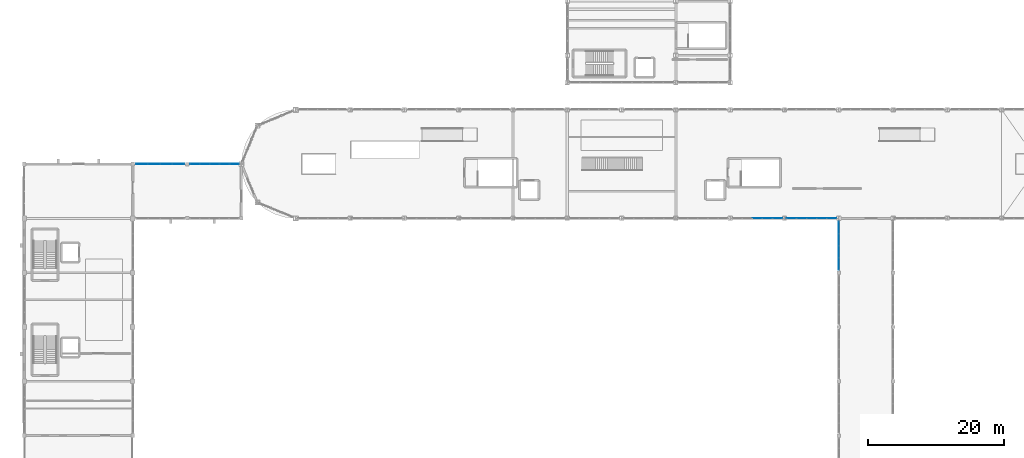
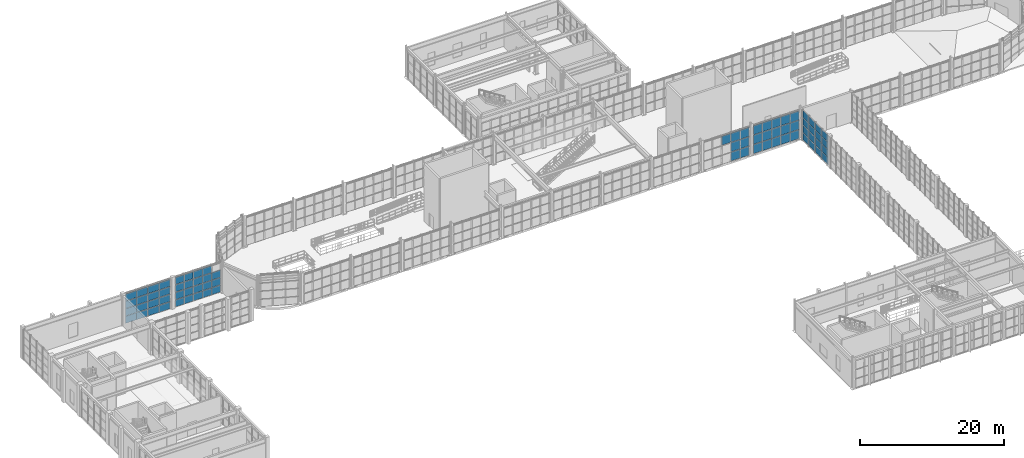
# One storey, part 53 of 82: 73 plates, 5 elements without a shape of their own.
"""IFC4 building model written with IfcOpenShell, lengths in metres."""

from ifc_helpers import new_model, si_unit, direction, frame, origin, origin_2d, place, context, subcontext, project, spatial, rectangle, extrude, material, layer, layer_set, type_object, element, aggregate, save


model = new_model("IFC4")

# Units and contexts
model_context = context("Model", 3, precision=1e-05, world=origin(), true_north=direction((0.0, 1.0)))
body_context = subcontext(model_context, "Body", "Model", "MODEL_VIEW")
ifc_project = project(units=[si_unit("LENGTHUNIT", "METRE"), si_unit("AREAUNIT", "SQUARE_METRE"), si_unit("VOLUMEUNIT", "CUBIC_METRE"), si_unit("PLANEANGLEUNIT", "RADIAN"), si_unit("MASSUNIT", "GRAM", prefix="KILO")], contexts=[model_context])

# Site, building, storey
site_placement = place(None, origin())
site = spatial("IfcSite", under=ifc_project, at=site_placement, CompositionType="ELEMENT")
building_placement = place(site_placement, origin())
building = spatial("IfcBuilding", under=site, at=building_placement, Name="Serraluz Foothill Cableway Terminal", CompositionType="ELEMENT")
storey_placement = place(building_placement, frame((0.0, 0.0, 9.60009765625)))
storey = spatial("IfcBuildingStorey", under=building, at=storey_placement, Name="L02", CompositionType="ELEMENT", Elevation=9.60009765625)

# Curtain wall, plates
ifc_material_1 = material(Name="Architectural bronze alloy C28000", Category="aluminium")
curtain_wall_type_1 = type_object("IfcCurtainWallType", Name="TYP-CW-480X380", PredefinedType="NOTDEFINED", material=ifc_material_1)
curtain_wall_1_placement = place(storey_placement, origin())
curtain_wall_1 = element("IfcCurtainWall", 1, at=curtain_wall_1_placement, inside=storey, type_object=curtain_wall_type_1, Name="Ribbed Glazed Curtain Wall CW-V1S-L02-104", PredefinedType="NOTDEFINED")
ifc_material_2 = material(Name="Translucent ribbed laminated channel glass", Category="glass")
ifc_layer = layer(ifc_material_2, 0.028076171875, Name="Translucent ribbed laminated channel glass", Category="glass")
ifc_layer_set = layer_set([ifc_layer], Name="Translucent ribbed laminated channel glass")
plate_type = type_object("IfcPlateType", Name="TYP-CW-PNL-28", PredefinedType="CURTAIN_PANEL", material=ifc_layer_set)
plate_1_placement = place(storey_placement, frame((110.9619140625, 56.0, 0.06005859375), z_axis=(0.0, 0.0, 1.0), x_axis=(-1.0, 0.0, 0.0)))
plate_1 = element("IfcPlate", 2, at=plate_1_placement, type_object=plate_type, Name="CW-14 panel 1.1", PredefinedType="CURTAIN_PANEL", context=body_context, shape_type="SweptSolid", body=[
    extrude(rectangle(XDim=1.393310546875, YDim=0.028076171875, at=origin_2d()), origin(), (0.0, 0.0, 1.0), 1.526611328125),
])
plate_2_placement = place(storey_placement, frame((110.9619140625, 56.0, 1.646484375), z_axis=(0.0, 0.0, 1.0), x_axis=(-1.0, 0.0, 0.0)))
plate_2 = element("IfcPlate", 3, at=plate_2_placement, type_object=plate_type, Name="CW-14 panel 1.2", PredefinedType="CURTAIN_PANEL", context=body_context, shape_type="SweptSolid", body=[
    extrude(rectangle(XDim=1.393310546875, YDim=0.028076171875, at=origin_2d()), origin(), (0.0, 0.0, 1.0), 1.556640625),
])
plate_3_placement = place(storey_placement, frame((110.9619140625, 56.0, 3.26318359375), z_axis=(0.0, 0.0, 1.0), x_axis=(-1.0, 0.0, 0.0)))
plate_3 = element("IfcPlate", 4, at=plate_3_placement, type_object=plate_type, Name="CW-14 panel 1.3", PredefinedType="CURTAIN_PANEL", context=body_context, shape_type="SweptSolid", body=[
    extrude(rectangle(XDim=1.393310546875, YDim=0.028076171875, at=origin_2d()), origin(), (0.0, 0.0, 1.0), 1.526611328125),
])
plate_4_placement = place(storey_placement, frame((109.49365234375, 56.0, 0.06005859375), z_axis=(0.0, 0.0, 1.0), x_axis=(-1.0, 0.0, 0.0)))
plate_4 = element("IfcPlate", 5, at=plate_4_placement, type_object=plate_type, Name="CW-14 panel 2.1", PredefinedType="CURTAIN_PANEL", context=body_context, shape_type="SweptSolid", body=[
    extrude(rectangle(XDim=1.423095703125, YDim=0.028076171875, at=origin_2d()), origin(), (0.0, 0.0, 1.0), 1.526611328125),
])
plate_5_placement = place(storey_placement, frame((109.49365234375, 56.0, 1.646484375), z_axis=(0.0, 0.0, 1.0), x_axis=(-1.0, 0.0, 0.0)))
plate_5 = element("IfcPlate", 6, at=plate_5_placement, type_object=plate_type, Name="CW-14 panel 2.2", PredefinedType="CURTAIN_PANEL", context=body_context, shape_type="SweptSolid", body=[
    extrude(rectangle(XDim=1.423095703125, YDim=0.028076171875, at=origin_2d()), origin(), (0.0, 0.0, 1.0), 1.556640625),
])
plate_6_placement = place(storey_placement, frame((109.49365234375, 56.0, 3.26318359375), z_axis=(0.0, 0.0, 1.0), x_axis=(-1.0, 0.0, 0.0)))
plate_6 = element("IfcPlate", 7, at=plate_6_placement, type_object=plate_type, Name="CW-14 panel 2.3", PredefinedType="CURTAIN_PANEL", context=body_context, shape_type="SweptSolid", body=[
    extrude(rectangle(XDim=1.423095703125, YDim=0.028076171875, at=origin_2d()), origin(), (0.0, 0.0, 1.0), 1.526611328125),
])
plate_7_placement = place(storey_placement, frame((108.010498046875, 56.0, 3.26318359375), z_axis=(0.0, 0.0, 1.0), x_axis=(-1.0, 0.0, 0.0)))
plate_7 = element("IfcPlate", 8, at=plate_7_placement, type_object=plate_type, Name="CW-14 panel 3.3", PredefinedType="CURTAIN_PANEL", context=body_context, shape_type="SweptSolid", body=[
    extrude(rectangle(XDim=1.423095703125, YDim=0.028076171875, at=origin_2d()), origin(), (0.0, 0.0, 1.0), 1.526611328125),
])
aggregate(curtain_wall_1, [plate_1, plate_2, plate_3, plate_4, plate_5, plate_6, plate_7])

curtain_wall_type_2 = type_object("IfcCurtainWallType", Name="TYP-CW-480X420", PredefinedType="NOTDEFINED", material=ifc_material_1)
curtain_wall_2_placement = place(storey_placement, origin())
curtain_wall_2 = element("IfcCurtainWall", 9, at=curtain_wall_2_placement, inside=storey, type_object=curtain_wall_type_2, Name="Ribbed Glazed Curtain Wall CW-V1S-L02-112", PredefinedType="NOTDEFINED")
plate_8_placement = place(storey_placement, frame((118.94091796875, 56.0, 0.06005859375), z_axis=(0.0, 0.0, 1.0), x_axis=(-1.0, 0.0, 0.0)))
plate_8 = element("IfcPlate", 10, at=plate_8_placement, type_object=plate_type, Name="CW-15 panel 1.1", PredefinedType="CURTAIN_PANEL", context=body_context, shape_type="SweptSolid", body=[
    extrude(rectangle(XDim=1.393310546875, YDim=0.028076171875, at=origin_2d()), origin(), (0.0, 0.0, 1.0), 1.526611328125),
])
plate_9_placement = place(storey_placement, frame((118.94091796875, 56.0, 1.646484375), z_axis=(0.0, 0.0, 1.0), x_axis=(-1.0, 0.0, 0.0)))
plate_9 = element("IfcPlate", 11, at=plate_9_placement, type_object=plate_type, Name="CW-15 panel 1.2", PredefinedType="CURTAIN_PANEL", context=body_context, shape_type="SweptSolid", body=[
    extrude(rectangle(XDim=1.393310546875, YDim=0.028076171875, at=origin_2d()), origin(), (0.0, 0.0, 1.0), 1.556640625),
])
plate_10_placement = place(storey_placement, frame((118.94091796875, 56.0, 3.26318359375), z_axis=(0.0, 0.0, 1.0), x_axis=(-1.0, 0.0, 0.0)))
plate_10 = element("IfcPlate", 12, at=plate_10_placement, type_object=plate_type, Name="CW-15 panel 1.3", PredefinedType="CURTAIN_PANEL", context=body_context, shape_type="SweptSolid", body=[
    extrude(rectangle(XDim=1.393310546875, YDim=0.028076171875, at=origin_2d()), origin(), (0.0, 0.0, 1.0), 1.526611328125),
])
plate_11_placement = place(storey_placement, frame((117.47265625, 56.0, 0.06005859375), z_axis=(0.0, 0.0, 1.0), x_axis=(-1.0, 0.0, 0.0)))
plate_11 = element("IfcPlate", 13, at=plate_11_placement, type_object=plate_type, Name="CW-15 panel 2.1", PredefinedType="CURTAIN_PANEL", context=body_context, shape_type="SweptSolid", body=[
    extrude(rectangle(XDim=1.423095703125, YDim=0.028076171875, at=origin_2d()), origin(), (0.0, 0.0, 1.0), 1.526611328125),
])
plate_12_placement = place(storey_placement, frame((117.47265625, 56.0, 1.646484375), z_axis=(0.0, 0.0, 1.0), x_axis=(-1.0, 0.0, 0.0)))
plate_12 = element("IfcPlate", 14, at=plate_12_placement, type_object=plate_type, Name="CW-15 panel 2.2", PredefinedType="CURTAIN_PANEL", context=body_context, shape_type="SweptSolid", body=[
    extrude(rectangle(XDim=1.423095703125, YDim=0.028076171875, at=origin_2d()), origin(), (0.0, 0.0, 1.0), 1.556640625),
])
plate_13_placement = place(storey_placement, frame((117.47265625, 56.0, 3.26318359375), z_axis=(0.0, 0.0, 1.0), x_axis=(-1.0, 0.0, 0.0)))
plate_13 = element("IfcPlate", 15, at=plate_13_placement, type_object=plate_type, Name="CW-15 panel 2.3", PredefinedType="CURTAIN_PANEL", context=body_context, shape_type="SweptSolid", body=[
    extrude(rectangle(XDim=1.423095703125, YDim=0.028076171875, at=origin_2d()), origin(), (0.0, 0.0, 1.0), 1.526611328125),
])
plate_14_placement = place(storey_placement, frame((115.989501953125, 56.0, 0.06005859375), z_axis=(0.0, 0.0, 1.0), x_axis=(-1.0, 0.0, 0.0)))
plate_14 = element("IfcPlate", 16, at=plate_14_placement, type_object=plate_type, Name="CW-15 panel 3.1", PredefinedType="CURTAIN_PANEL", context=body_context, shape_type="SweptSolid", body=[
    extrude(rectangle(XDim=1.423095703125, YDim=0.028076171875, at=origin_2d()), origin(), (0.0, 0.0, 1.0), 1.526611328125),
])
plate_15_placement = place(storey_placement, frame((115.989501953125, 56.0, 1.646484375), z_axis=(0.0, 0.0, 1.0), x_axis=(-1.0, 0.0, 0.0)))
plate_15 = element("IfcPlate", 17, at=plate_15_placement, type_object=plate_type, Name="CW-15 panel 3.2", PredefinedType="CURTAIN_PANEL", context=body_context, shape_type="SweptSolid", body=[
    extrude(rectangle(XDim=1.423095703125, YDim=0.028076171875, at=origin_2d()), origin(), (0.0, 0.0, 1.0), 1.556640625),
])
plate_16_placement = place(storey_placement, frame((115.989501953125, 56.0, 3.26318359375), z_axis=(0.0, 0.0, 1.0), x_axis=(-1.0, 0.0, 0.0)))
plate_16 = element("IfcPlate", 18, at=plate_16_placement, type_object=plate_type, Name="CW-15 panel 3.3", PredefinedType="CURTAIN_PANEL", context=body_context, shape_type="SweptSolid", body=[
    extrude(rectangle(XDim=1.423095703125, YDim=0.028076171875, at=origin_2d()), origin(), (0.0, 0.0, 1.0), 1.526611328125),
])
plate_17_placement = place(storey_placement, frame((114.50634765625, 56.0, 0.06005859375), z_axis=(0.0, 0.0, 1.0), x_axis=(-1.0, 0.0, 0.0)))
plate_17 = element("IfcPlate", 19, at=plate_17_placement, type_object=plate_type, Name="CW-15 panel 4.1", PredefinedType="CURTAIN_PANEL", context=body_context, shape_type="SweptSolid", body=[
    extrude(rectangle(XDim=1.423095703125, YDim=0.028076171875, at=origin_2d()), origin(), (0.0, 0.0, 1.0), 1.526611328125),
])
plate_18_placement = place(storey_placement, frame((114.50634765625, 56.0, 1.646484375), z_axis=(0.0, 0.0, 1.0), x_axis=(-1.0, 0.0, 0.0)))
plate_18 = element("IfcPlate", 20, at=plate_18_placement, type_object=plate_type, Name="CW-15 panel 4.2", PredefinedType="CURTAIN_PANEL", context=body_context, shape_type="SweptSolid", body=[
    extrude(rectangle(XDim=1.423095703125, YDim=0.028076171875, at=origin_2d()), origin(), (0.0, 0.0, 1.0), 1.556640625),
])
plate_19_placement = place(storey_placement, frame((114.50634765625, 56.0, 3.26318359375), z_axis=(0.0, 0.0, 1.0), x_axis=(-1.0, 0.0, 0.0)))
plate_19 = element("IfcPlate", 21, at=plate_19_placement, type_object=plate_type, Name="CW-15 panel 4.3", PredefinedType="CURTAIN_PANEL", context=body_context, shape_type="SweptSolid", body=[
    extrude(rectangle(XDim=1.423095703125, YDim=0.028076171875, at=origin_2d()), origin(), (0.0, 0.0, 1.0), 1.526611328125),
])
plate_20_placement = place(storey_placement, frame((113.0380859375, 56.0, 0.06005859375), z_axis=(0.0, 0.0, 1.0), x_axis=(-1.0, 0.0, 0.0)))
plate_20 = element("IfcPlate", 22, at=plate_20_placement, type_object=plate_type, Name="CW-15 panel 5.1", PredefinedType="CURTAIN_PANEL", context=body_context, shape_type="SweptSolid", body=[
    extrude(rectangle(XDim=1.393310546875, YDim=0.028076171875, at=origin_2d()), origin(), (0.0, 0.0, 1.0), 1.526611328125),
])
plate_21_placement = place(storey_placement, frame((113.0380859375, 56.0, 1.646484375), z_axis=(0.0, 0.0, 1.0), x_axis=(-1.0, 0.0, 0.0)))
plate_21 = element("IfcPlate", 23, at=plate_21_placement, type_object=plate_type, Name="CW-15 panel 5.2", PredefinedType="CURTAIN_PANEL", context=body_context, shape_type="SweptSolid", body=[
    extrude(rectangle(XDim=1.393310546875, YDim=0.028076171875, at=origin_2d()), origin(), (0.0, 0.0, 1.0), 1.556640625),
])
plate_22_placement = place(storey_placement, frame((113.0380859375, 56.0, 3.26318359375), z_axis=(0.0, 0.0, 1.0), x_axis=(-1.0, 0.0, 0.0)))
plate_22 = element("IfcPlate", 24, at=plate_22_placement, type_object=plate_type, Name="CW-15 panel 5.3", PredefinedType="CURTAIN_PANEL", context=body_context, shape_type="SweptSolid", body=[
    extrude(rectangle(XDim=1.393310546875, YDim=0.028076171875, at=origin_2d()), origin(), (0.0, 0.0, 1.0), 1.526611328125),
])
aggregate(curtain_wall_2, [plate_8, plate_9, plate_10, plate_11, plate_12, plate_13, plate_14, plate_15, plate_16, plate_17, plate_18, plate_19, plate_20, plate_21, plate_22])

curtain_wall_type_3 = type_object("IfcCurtainWallType", Name="TYP-CW-710X420", PredefinedType="NOTDEFINED", material=ifc_material_1)
curtain_wall_3_placement = place(storey_placement, origin())
curtain_wall_3 = element("IfcCurtainWall", 25, at=curtain_wall_3_placement, inside=storey, type_object=curtain_wall_type_3, Name="Ribbed Glazed Curtain Wall CW-CLW-L02-48", PredefinedType="NOTDEFINED")
plate_23_placement = place(storey_placement, frame((120.0, 49.30029296875, 0.059814453125), z_axis=(0.0, 0.0, 1.0), x_axis=(0.0, 1.0, 0.0)))
plate_23 = element("IfcPlate", 26, at=plate_23_placement, type_object=plate_type, Name="CW-01 panel 1.1", PredefinedType="CURTAIN_PANEL", context=body_context, shape_type="SweptSolid", body=[
    extrude(rectangle(XDim=1.700439453125, YDim=0.028076171875, at=origin_2d()), origin(), (0.0, 0.0, 1.0), 1.18505859375),
])
plate_24_placement = place(storey_placement, frame((120.0, 49.30029296875, 1.3046875), z_axis=(0.0, 0.0, 1.0), x_axis=(0.0, 1.0, 0.0)))
plate_24 = element("IfcPlate", 27, at=plate_24_placement, type_object=plate_type, Name="CW-01 panel 1.2", PredefinedType="CURTAIN_PANEL", context=body_context, shape_type="SweptSolid", body=[
    extrude(rectangle(XDim=1.700439453125, YDim=0.028076171875, at=origin_2d()), origin(), (0.0, 0.0, 1.0), 1.215087890625),
])
plate_25_placement = place(storey_placement, frame((120.0, 49.30029296875, 2.580078125), z_axis=(0.0, 0.0, 1.0), x_axis=(0.0, 1.0, 0.0)))
plate_25 = element("IfcPlate", 28, at=plate_25_placement, type_object=plate_type, Name="CW-01 panel 1.3", PredefinedType="CURTAIN_PANEL", context=body_context, shape_type="SweptSolid", body=[
    extrude(rectangle(XDim=1.700439453125, YDim=0.028076171875, at=origin_2d()), origin(), (0.0, 0.0, 1.0), 1.215087890625),
])
plate_26_placement = place(storey_placement, frame((120.0, 49.30029296875, 3.85498046875), z_axis=(0.0, 0.0, 1.0), x_axis=(0.0, 1.0, 0.0)))
plate_26 = element("IfcPlate", 29, at=plate_26_placement, type_object=plate_type, Name="CW-01 panel 1.4", PredefinedType="CURTAIN_PANEL", context=body_context, shape_type="SweptSolid", body=[
    extrude(rectangle(XDim=1.700439453125, YDim=0.028076171875, at=origin_2d()), origin(), (0.0, 0.0, 1.0), 1.18505859375),
])
plate_27_placement = place(storey_placement, frame((120.0, 51.07568359375, 0.059814453125), z_axis=(0.0, 0.0, 1.0), x_axis=(0.0, 1.0, 0.0)))
plate_27 = element("IfcPlate", 30, at=plate_27_placement, type_object=plate_type, Name="CW-01 panel 2.1", PredefinedType="CURTAIN_PANEL", context=body_context, shape_type="SweptSolid", body=[
    extrude(rectangle(XDim=1.73046875, YDim=0.028076171875, at=origin_2d()), origin(), (0.0, 0.0, 1.0), 1.18505859375),
])
plate_28_placement = place(storey_placement, frame((120.0, 51.07568359375, 1.3046875), z_axis=(0.0, 0.0, 1.0), x_axis=(0.0, 1.0, 0.0)))
plate_28 = element("IfcPlate", 31, at=plate_28_placement, type_object=plate_type, Name="CW-01 panel 2.2", PredefinedType="CURTAIN_PANEL", context=body_context, shape_type="SweptSolid", body=[
    extrude(rectangle(XDim=1.73046875, YDim=0.028076171875, at=origin_2d()), origin(), (0.0, 0.0, 1.0), 1.215087890625),
])
plate_29_placement = place(storey_placement, frame((120.0, 51.07568359375, 2.580078125), z_axis=(0.0, 0.0, 1.0), x_axis=(0.0, 1.0, 0.0)))
plate_29 = element("IfcPlate", 32, at=plate_29_placement, type_object=plate_type, Name="CW-01 panel 2.3", PredefinedType="CURTAIN_PANEL", context=body_context, shape_type="SweptSolid", body=[
    extrude(rectangle(XDim=1.73046875, YDim=0.028076171875, at=origin_2d()), origin(), (0.0, 0.0, 1.0), 1.215087890625),
])
plate_30_placement = place(storey_placement, frame((120.0, 51.07568359375, 3.85498046875), z_axis=(0.0, 0.0, 1.0), x_axis=(0.0, 1.0, 0.0)))
plate_30 = element("IfcPlate", 33, at=plate_30_placement, type_object=plate_type, Name="CW-01 panel 2.4", PredefinedType="CURTAIN_PANEL", context=body_context, shape_type="SweptSolid", body=[
    extrude(rectangle(XDim=1.73046875, YDim=0.028076171875, at=origin_2d()), origin(), (0.0, 0.0, 1.0), 1.18505859375),
])
plate_31_placement = place(storey_placement, frame((120.0, 52.8662109375, 0.059814453125), z_axis=(0.0, 0.0, 1.0), x_axis=(0.0, 1.0, 0.0)))
plate_31 = element("IfcPlate", 34, at=plate_31_placement, type_object=plate_type, Name="CW-01 panel 3.1", PredefinedType="CURTAIN_PANEL", context=body_context, shape_type="SweptSolid", body=[
    extrude(rectangle(XDim=1.73046875, YDim=0.028076171875, at=origin_2d()), origin(), (0.0, 0.0, 1.0), 1.18505859375),
])
plate_32_placement = place(storey_placement, frame((120.0, 52.8662109375, 1.3046875), z_axis=(0.0, 0.0, 1.0), x_axis=(0.0, 1.0, 0.0)))
plate_32 = element("IfcPlate", 35, at=plate_32_placement, type_object=plate_type, Name="CW-01 panel 3.2", PredefinedType="CURTAIN_PANEL", context=body_context, shape_type="SweptSolid", body=[
    extrude(rectangle(XDim=1.73046875, YDim=0.028076171875, at=origin_2d()), origin(), (0.0, 0.0, 1.0), 1.215087890625),
])
plate_33_placement = place(storey_placement, frame((120.0, 52.8662109375, 2.580078125), z_axis=(0.0, 0.0, 1.0), x_axis=(0.0, 1.0, 0.0)))
plate_33 = element("IfcPlate", 36, at=plate_33_placement, type_object=plate_type, Name="CW-01 panel 3.3", PredefinedType="CURTAIN_PANEL", context=body_context, shape_type="SweptSolid", body=[
    extrude(rectangle(XDim=1.73046875, YDim=0.028076171875, at=origin_2d()), origin(), (0.0, 0.0, 1.0), 1.215087890625),
])
plate_34_placement = place(storey_placement, frame((120.0, 52.8662109375, 3.85498046875), z_axis=(0.0, 0.0, 1.0), x_axis=(0.0, 1.0, 0.0)))
plate_34 = element("IfcPlate", 37, at=plate_34_placement, type_object=plate_type, Name="CW-01 panel 3.4", PredefinedType="CURTAIN_PANEL", context=body_context, shape_type="SweptSolid", body=[
    extrude(rectangle(XDim=1.73046875, YDim=0.028076171875, at=origin_2d()), origin(), (0.0, 0.0, 1.0), 1.18505859375),
])
plate_35_placement = place(storey_placement, frame((120.0, 54.641845703125, 0.059814453125), z_axis=(0.0, 0.0, 1.0), x_axis=(0.0, 1.0, 0.0)))
plate_35 = element("IfcPlate", 38, at=plate_35_placement, type_object=plate_type, Name="CW-01 panel 4.1", PredefinedType="CURTAIN_PANEL", context=body_context, shape_type="SweptSolid", body=[
    extrude(rectangle(XDim=1.700439453125, YDim=0.028076171875, at=origin_2d()), origin(), (0.0, 0.0, 1.0), 1.18505859375),
])
plate_36_placement = place(storey_placement, frame((120.0, 54.641845703125, 1.3046875), z_axis=(0.0, 0.0, 1.0), x_axis=(0.0, 1.0, 0.0)))
plate_36 = element("IfcPlate", 39, at=plate_36_placement, type_object=plate_type, Name="CW-01 panel 4.2", PredefinedType="CURTAIN_PANEL", context=body_context, shape_type="SweptSolid", body=[
    extrude(rectangle(XDim=1.700439453125, YDim=0.028076171875, at=origin_2d()), origin(), (0.0, 0.0, 1.0), 1.215087890625),
])
plate_37_placement = place(storey_placement, frame((120.0, 54.641845703125, 2.580078125), z_axis=(0.0, 0.0, 1.0), x_axis=(0.0, 1.0, 0.0)))
plate_37 = element("IfcPlate", 40, at=plate_37_placement, type_object=plate_type, Name="CW-01 panel 4.3", PredefinedType="CURTAIN_PANEL", context=body_context, shape_type="SweptSolid", body=[
    extrude(rectangle(XDim=1.700439453125, YDim=0.028076171875, at=origin_2d()), origin(), (0.0, 0.0, 1.0), 1.215087890625),
])
plate_38_placement = place(storey_placement, frame((120.0, 54.641845703125, 3.85498046875), z_axis=(0.0, 0.0, 1.0), x_axis=(0.0, 1.0, 0.0)))
plate_38 = element("IfcPlate", 41, at=plate_38_placement, type_object=plate_type, Name="CW-01 panel 4.4", PredefinedType="CURTAIN_PANEL", context=body_context, shape_type="SweptSolid", body=[
    extrude(rectangle(XDim=1.700439453125, YDim=0.028076171875, at=origin_2d()), origin(), (0.0, 0.0, 1.0), 1.18505859375),
])
aggregate(curtain_wall_3, [plate_23, plate_24, plate_25, plate_26, plate_27, plate_28, plate_29, plate_30, plate_31, plate_32, plate_33, plate_34, plate_35, plate_36, plate_37, plate_38])

curtain_wall_4_placement = place(storey_placement, origin())
curtain_wall_4 = element("IfcCurtainWall", 42, at=curtain_wall_4_placement, inside=storey, type_object=curtain_wall_type_3, Name="Ribbed Glazed Curtain Wall CW-WLN-L02-16", PredefinedType="NOTDEFINED")
plate_39_placement = place(storey_placement, frame((17.329345703125, 64.0, 0.059814453125), z_axis=(0.0, 0.0, 1.0), x_axis=(1.0, 0.0, 0.0)))
plate_39 = element("IfcPlate", 43, at=plate_39_placement, type_object=plate_type, Name="CW-01 panel 1.1", PredefinedType="CURTAIN_PANEL", context=body_context, shape_type="SweptSolid", body=[
    extrude(rectangle(XDim=1.708740234375, YDim=0.028076171875, at=origin_2d()), origin(), (0.0, 0.0, 1.0), 1.18505859375),
])
plate_40_placement = place(storey_placement, frame((17.329345703125, 64.0, 1.3046875), z_axis=(0.0, 0.0, 1.0), x_axis=(1.0, 0.0, 0.0)))
plate_40 = element("IfcPlate", 44, at=plate_40_placement, type_object=plate_type, Name="CW-01 panel 1.2", PredefinedType="CURTAIN_PANEL", context=body_context, shape_type="SweptSolid", body=[
    extrude(rectangle(XDim=1.708740234375, YDim=0.028076171875, at=origin_2d()), origin(), (0.0, 0.0, 1.0), 1.215087890625),
])
plate_41_placement = place(storey_placement, frame((17.329345703125, 64.0, 2.580078125), z_axis=(0.0, 0.0, 1.0), x_axis=(1.0, 0.0, 0.0)))
plate_41 = element("IfcPlate", 45, at=plate_41_placement, type_object=plate_type, Name="CW-01 panel 1.3", PredefinedType="CURTAIN_PANEL", context=body_context, shape_type="SweptSolid", body=[
    extrude(rectangle(XDim=1.708740234375, YDim=0.028076171875, at=origin_2d()), origin(), (0.0, 0.0, 1.0), 1.215087890625),
])
plate_42_placement = place(storey_placement, frame((17.329345703125, 64.0, 3.85498046875), z_axis=(0.0, 0.0, 1.0), x_axis=(1.0, 0.0, 0.0)))
plate_42 = element("IfcPlate", 46, at=plate_42_placement, type_object=plate_type, Name="CW-01 panel 1.4", PredefinedType="CURTAIN_PANEL", context=body_context, shape_type="SweptSolid", body=[
    extrude(rectangle(XDim=1.708740234375, YDim=0.028076171875, at=origin_2d()), origin(), (0.0, 0.0, 1.0), 1.18505859375),
])
plate_43_placement = place(storey_placement, frame((19.113037109375, 64.0, 0.059814453125), z_axis=(0.0, 0.0, 1.0), x_axis=(1.0, 0.0, 0.0)))
plate_43 = element("IfcPlate", 47, at=plate_43_placement, type_object=plate_type, Name="CW-01 panel 2.1", PredefinedType="CURTAIN_PANEL", context=body_context, shape_type="SweptSolid", body=[
    extrude(rectangle(XDim=1.73876953125, YDim=0.028076171875, at=origin_2d()), origin(), (0.0, 0.0, 1.0), 1.18505859375),
])
plate_44_placement = place(storey_placement, frame((19.113037109375, 64.0, 1.3046875), z_axis=(0.0, 0.0, 1.0), x_axis=(1.0, 0.0, 0.0)))
plate_44 = element("IfcPlate", 48, at=plate_44_placement, type_object=plate_type, Name="CW-01 panel 2.2", PredefinedType="CURTAIN_PANEL", context=body_context, shape_type="SweptSolid", body=[
    extrude(rectangle(XDim=1.73876953125, YDim=0.028076171875, at=origin_2d()), origin(), (0.0, 0.0, 1.0), 1.215087890625),
])
plate_45_placement = place(storey_placement, frame((19.113037109375, 64.0, 2.580078125), z_axis=(0.0, 0.0, 1.0), x_axis=(1.0, 0.0, 0.0)))
plate_45 = element("IfcPlate", 49, at=plate_45_placement, type_object=plate_type, Name="CW-01 panel 2.3", PredefinedType="CURTAIN_PANEL", context=body_context, shape_type="SweptSolid", body=[
    extrude(rectangle(XDim=1.73876953125, YDim=0.028076171875, at=origin_2d()), origin(), (0.0, 0.0, 1.0), 1.215087890625),
])
plate_46_placement = place(storey_placement, frame((19.113037109375, 64.0, 3.85498046875), z_axis=(0.0, 0.0, 1.0), x_axis=(1.0, 0.0, 0.0)))
plate_46 = element("IfcPlate", 50, at=plate_46_placement, type_object=plate_type, Name="CW-01 panel 2.4", PredefinedType="CURTAIN_PANEL", context=body_context, shape_type="SweptSolid", body=[
    extrude(rectangle(XDim=1.73876953125, YDim=0.028076171875, at=origin_2d()), origin(), (0.0, 0.0, 1.0), 1.18505859375),
])
plate_47_placement = place(storey_placement, frame((20.911865234375, 64.0, 0.059814453125), z_axis=(0.0, 0.0, 1.0), x_axis=(1.0, 0.0, 0.0)))
plate_47 = element("IfcPlate", 51, at=plate_47_placement, type_object=plate_type, Name="CW-01 panel 3.1", PredefinedType="CURTAIN_PANEL", context=body_context, shape_type="SweptSolid", body=[
    extrude(rectangle(XDim=1.73876953125, YDim=0.028076171875, at=origin_2d()), origin(), (0.0, 0.0, 1.0), 1.18505859375),
])
plate_48_placement = place(storey_placement, frame((20.911865234375, 64.0, 1.3046875), z_axis=(0.0, 0.0, 1.0), x_axis=(1.0, 0.0, 0.0)))
plate_48 = element("IfcPlate", 52, at=plate_48_placement, type_object=plate_type, Name="CW-01 panel 3.2", PredefinedType="CURTAIN_PANEL", context=body_context, shape_type="SweptSolid", body=[
    extrude(rectangle(XDim=1.73876953125, YDim=0.028076171875, at=origin_2d()), origin(), (0.0, 0.0, 1.0), 1.215087890625),
])
plate_49_placement = place(storey_placement, frame((20.911865234375, 64.0, 2.580078125), z_axis=(0.0, 0.0, 1.0), x_axis=(1.0, 0.0, 0.0)))
plate_49 = element("IfcPlate", 53, at=plate_49_placement, type_object=plate_type, Name="CW-01 panel 3.3", PredefinedType="CURTAIN_PANEL", context=body_context, shape_type="SweptSolid", body=[
    extrude(rectangle(XDim=1.73876953125, YDim=0.028076171875, at=origin_2d()), origin(), (0.0, 0.0, 1.0), 1.215087890625),
])
plate_50_placement = place(storey_placement, frame((20.911865234375, 64.0, 3.85498046875), z_axis=(0.0, 0.0, 1.0), x_axis=(1.0, 0.0, 0.0)))
plate_50 = element("IfcPlate", 54, at=plate_50_placement, type_object=plate_type, Name="CW-01 panel 3.4", PredefinedType="CURTAIN_PANEL", context=body_context, shape_type="SweptSolid", body=[
    extrude(rectangle(XDim=1.73876953125, YDim=0.028076171875, at=origin_2d()), origin(), (0.0, 0.0, 1.0), 1.18505859375),
])
plate_51_placement = place(storey_placement, frame((22.695556640625, 64.0, 0.059814453125), z_axis=(0.0, 0.0, 1.0), x_axis=(1.0, 0.0, 0.0)))
plate_51 = element("IfcPlate", 55, at=plate_51_placement, type_object=plate_type, Name="CW-01 panel 4.1", PredefinedType="CURTAIN_PANEL", context=body_context, shape_type="SweptSolid", body=[
    extrude(rectangle(XDim=1.708740234375, YDim=0.028076171875, at=origin_2d()), origin(), (0.0, 0.0, 1.0), 1.18505859375),
])
plate_52_placement = place(storey_placement, frame((22.695556640625, 64.0, 1.3046875), z_axis=(0.0, 0.0, 1.0), x_axis=(1.0, 0.0, 0.0)))
plate_52 = element("IfcPlate", 56, at=plate_52_placement, type_object=plate_type, Name="CW-01 panel 4.2", PredefinedType="CURTAIN_PANEL", context=body_context, shape_type="SweptSolid", body=[
    extrude(rectangle(XDim=1.708740234375, YDim=0.028076171875, at=origin_2d()), origin(), (0.0, 0.0, 1.0), 1.215087890625),
])
plate_53_placement = place(storey_placement, frame((22.695556640625, 64.0, 2.580078125), z_axis=(0.0, 0.0, 1.0), x_axis=(1.0, 0.0, 0.0)))
plate_53 = element("IfcPlate", 57, at=plate_53_placement, type_object=plate_type, Name="CW-01 panel 4.3", PredefinedType="CURTAIN_PANEL", context=body_context, shape_type="SweptSolid", body=[
    extrude(rectangle(XDim=1.708740234375, YDim=0.028076171875, at=origin_2d()), origin(), (0.0, 0.0, 1.0), 1.215087890625),
])
plate_54_placement = place(storey_placement, frame((22.695556640625, 64.0, 3.85498046875), z_axis=(0.0, 0.0, 1.0), x_axis=(1.0, 0.0, 0.0)))
plate_54 = element("IfcPlate", 58, at=plate_54_placement, type_object=plate_type, Name="CW-01 panel 4.4", PredefinedType="CURTAIN_PANEL", context=body_context, shape_type="SweptSolid", body=[
    extrude(rectangle(XDim=1.708740234375, YDim=0.028076171875, at=origin_2d()), origin(), (0.0, 0.0, 1.0), 1.18505859375),
])
aggregate(curtain_wall_4, [plate_39, plate_40, plate_41, plate_42, plate_43, plate_44, plate_45, plate_46, plate_47, plate_48, plate_49, plate_50, plate_51, plate_52, plate_53, plate_54])

curtain_wall_5_placement = place(storey_placement, origin())
curtain_wall_5 = element("IfcCurtainWall", 59, at=curtain_wall_5_placement, inside=storey, type_object=curtain_wall_type_3, Name="Ribbed Glazed Curtain Wall CW-WLN-L02-24", PredefinedType="NOTDEFINED")
plate_55_placement = place(storey_placement, frame((25.1357421875, 64.0, 0.059814453125), z_axis=(0.0, 0.0, 1.0), x_axis=(1.0, 0.0, 0.0)))
plate_55 = element("IfcPlate", 60, at=plate_55_placement, type_object=plate_type, Name="CW-01 panel 1.1", PredefinedType="CURTAIN_PANEL", context=body_context, shape_type="SweptSolid", body=[
    extrude(rectangle(XDim=1.37158203125, YDim=0.028076171875, at=origin_2d()), origin(), (0.0, 0.0, 1.0), 1.18505859375),
])
plate_56_placement = place(storey_placement, frame((25.1357421875, 64.0, 1.3046875), z_axis=(0.0, 0.0, 1.0), x_axis=(1.0, 0.0, 0.0)))
plate_56 = element("IfcPlate", 61, at=plate_56_placement, type_object=plate_type, Name="CW-01 panel 1.2", PredefinedType="CURTAIN_PANEL", context=body_context, shape_type="SweptSolid", body=[
    extrude(rectangle(XDim=1.37158203125, YDim=0.028076171875, at=origin_2d()), origin(), (0.0, 0.0, 1.0), 1.215087890625),
])
plate_57_placement = place(storey_placement, frame((25.1357421875, 64.0, 2.580078125), z_axis=(0.0, 0.0, 1.0), x_axis=(1.0, 0.0, 0.0)))
plate_57 = element("IfcPlate", 62, at=plate_57_placement, type_object=plate_type, Name="CW-01 panel 1.3", PredefinedType="CURTAIN_PANEL", context=body_context, shape_type="SweptSolid", body=[
    extrude(rectangle(XDim=1.37158203125, YDim=0.028076171875, at=origin_2d()), origin(), (0.0, 0.0, 1.0), 1.215087890625),
])
plate_58_placement = place(storey_placement, frame((25.1357421875, 64.0, 3.85498046875), z_axis=(0.0, 0.0, 1.0), x_axis=(1.0, 0.0, 0.0)))
plate_58 = element("IfcPlate", 63, at=plate_58_placement, type_object=plate_type, Name="CW-01 panel 1.4", PredefinedType="CURTAIN_PANEL", context=body_context, shape_type="SweptSolid", body=[
    extrude(rectangle(XDim=1.37158203125, YDim=0.028076171875, at=origin_2d()), origin(), (0.0, 0.0, 1.0), 1.18505859375),
])
plate_59_placement = place(storey_placement, frame((26.58251953125, 64.0, 0.059814453125), z_axis=(0.0, 0.0, 1.0), x_axis=(1.0, 0.0, 0.0)))
plate_59 = element("IfcPlate", 64, at=plate_59_placement, type_object=plate_type, Name="CW-01 panel 2.1", PredefinedType="CURTAIN_PANEL", context=body_context, shape_type="SweptSolid", body=[
    extrude(rectangle(XDim=1.401611328125, YDim=0.028076171875, at=origin_2d()), origin(), (0.0, 0.0, 1.0), 1.18505859375),
])
plate_60_placement = place(storey_placement, frame((26.58251953125, 64.0, 1.3046875), z_axis=(0.0, 0.0, 1.0), x_axis=(1.0, 0.0, 0.0)))
plate_60 = element("IfcPlate", 65, at=plate_60_placement, type_object=plate_type, Name="CW-01 panel 2.2", PredefinedType="CURTAIN_PANEL", context=body_context, shape_type="SweptSolid", body=[
    extrude(rectangle(XDim=1.401611328125, YDim=0.028076171875, at=origin_2d()), origin(), (0.0, 0.0, 1.0), 1.215087890625),
])
plate_61_placement = place(storey_placement, frame((26.58251953125, 64.0, 2.580078125), z_axis=(0.0, 0.0, 1.0), x_axis=(1.0, 0.0, 0.0)))
plate_61 = element("IfcPlate", 66, at=plate_61_placement, type_object=plate_type, Name="CW-01 panel 2.3", PredefinedType="CURTAIN_PANEL", context=body_context, shape_type="SweptSolid", body=[
    extrude(rectangle(XDim=1.401611328125, YDim=0.028076171875, at=origin_2d()), origin(), (0.0, 0.0, 1.0), 1.215087890625),
])
plate_62_placement = place(storey_placement, frame((26.58251953125, 64.0, 3.85498046875), z_axis=(0.0, 0.0, 1.0), x_axis=(1.0, 0.0, 0.0)))
plate_62 = element("IfcPlate", 67, at=plate_62_placement, type_object=plate_type, Name="CW-01 panel 2.4", PredefinedType="CURTAIN_PANEL", context=body_context, shape_type="SweptSolid", body=[
    extrude(rectangle(XDim=1.401611328125, YDim=0.028076171875, at=origin_2d()), origin(), (0.0, 0.0, 1.0), 1.18505859375),
])
plate_63_placement = place(storey_placement, frame((28.0439453125, 64.0, 0.059814453125), z_axis=(0.0, 0.0, 1.0), x_axis=(1.0, 0.0, 0.0)))
plate_63 = element("IfcPlate", 68, at=plate_63_placement, type_object=plate_type, Name="CW-01 panel 3.1", PredefinedType="CURTAIN_PANEL", context=body_context, shape_type="SweptSolid", body=[
    extrude(rectangle(XDim=1.401611328125, YDim=0.028076171875, at=origin_2d()), origin(), (0.0, 0.0, 1.0), 1.18505859375),
])
plate_64_placement = place(storey_placement, frame((28.0439453125, 64.0, 1.3046875), z_axis=(0.0, 0.0, 1.0), x_axis=(1.0, 0.0, 0.0)))
plate_64 = element("IfcPlate", 69, at=plate_64_placement, type_object=plate_type, Name="CW-01 panel 3.2", PredefinedType="CURTAIN_PANEL", context=body_context, shape_type="SweptSolid", body=[
    extrude(rectangle(XDim=1.401611328125, YDim=0.028076171875, at=origin_2d()), origin(), (0.0, 0.0, 1.0), 1.215087890625),
])
plate_65_placement = place(storey_placement, frame((28.0439453125, 64.0, 2.580078125), z_axis=(0.0, 0.0, 1.0), x_axis=(1.0, 0.0, 0.0)))
plate_65 = element("IfcPlate", 70, at=plate_65_placement, type_object=plate_type, Name="CW-01 panel 3.3", PredefinedType="CURTAIN_PANEL", context=body_context, shape_type="SweptSolid", body=[
    extrude(rectangle(XDim=1.401611328125, YDim=0.028076171875, at=origin_2d()), origin(), (0.0, 0.0, 1.0), 1.215087890625),
])
plate_66_placement = place(storey_placement, frame((28.0439453125, 64.0, 3.85498046875), z_axis=(0.0, 0.0, 1.0), x_axis=(1.0, 0.0, 0.0)))
plate_66 = element("IfcPlate", 71, at=plate_66_placement, type_object=plate_type, Name="CW-01 panel 3.4", PredefinedType="CURTAIN_PANEL", context=body_context, shape_type="SweptSolid", body=[
    extrude(rectangle(XDim=1.401611328125, YDim=0.028076171875, at=origin_2d()), origin(), (0.0, 0.0, 1.0), 1.18505859375),
])
plate_67_placement = place(storey_placement, frame((29.505615234375, 64.0, 0.059814453125), z_axis=(0.0, 0.0, 1.0), x_axis=(1.0, 0.0, 0.0)))
plate_67 = element("IfcPlate", 72, at=plate_67_placement, type_object=plate_type, Name="CW-01 panel 4.1", PredefinedType="CURTAIN_PANEL", context=body_context, shape_type="SweptSolid", body=[
    extrude(rectangle(XDim=1.401611328125, YDim=0.028076171875, at=origin_2d()), origin(), (0.0, 0.0, 1.0), 1.18505859375),
])
plate_68_placement = place(storey_placement, frame((29.505615234375, 64.0, 1.3046875), z_axis=(0.0, 0.0, 1.0), x_axis=(1.0, 0.0, 0.0)))
plate_68 = element("IfcPlate", 73, at=plate_68_placement, type_object=plate_type, Name="CW-01 panel 4.2", PredefinedType="CURTAIN_PANEL", context=body_context, shape_type="SweptSolid", body=[
    extrude(rectangle(XDim=1.401611328125, YDim=0.028076171875, at=origin_2d()), origin(), (0.0, 0.0, 1.0), 1.215087890625),
])
plate_69_placement = place(storey_placement, frame((29.505615234375, 64.0, 2.580078125), z_axis=(0.0, 0.0, 1.0), x_axis=(1.0, 0.0, 0.0)))
plate_69 = element("IfcPlate", 74, at=plate_69_placement, type_object=plate_type, Name="CW-01 panel 4.3", PredefinedType="CURTAIN_PANEL", context=body_context, shape_type="SweptSolid", body=[
    extrude(rectangle(XDim=1.401611328125, YDim=0.028076171875, at=origin_2d()), origin(), (0.0, 0.0, 1.0), 1.215087890625),
])
plate_70_placement = place(storey_placement, frame((29.505615234375, 64.0, 3.85498046875), z_axis=(0.0, 0.0, 1.0), x_axis=(1.0, 0.0, 0.0)))
plate_70 = element("IfcPlate", 75, at=plate_70_placement, type_object=plate_type, Name="CW-01 panel 4.4", PredefinedType="CURTAIN_PANEL", context=body_context, shape_type="SweptSolid", body=[
    extrude(rectangle(XDim=1.401611328125, YDim=0.028076171875, at=origin_2d()), origin(), (0.0, 0.0, 1.0), 1.18505859375),
])
plate_71_placement = place(storey_placement, frame((30.9521484375, 64.0, 0.059814453125), z_axis=(0.0, 0.0, 1.0), x_axis=(1.0, 0.0, 0.0)))
plate_71 = element("IfcPlate", 76, at=plate_71_placement, type_object=plate_type, Name="CW-01 panel 5.1", PredefinedType="CURTAIN_PANEL", context=body_context, shape_type="SweptSolid", body=[
    extrude(rectangle(XDim=1.37158203125, YDim=0.028076171875, at=origin_2d()), origin(), (0.0, 0.0, 1.0), 1.18505859375),
])
plate_72_placement = place(storey_placement, frame((30.9521484375, 64.0, 1.3046875), z_axis=(0.0, 0.0, 1.0), x_axis=(1.0, 0.0, 0.0)))
plate_72 = element("IfcPlate", 77, at=plate_72_placement, type_object=plate_type, Name="CW-01 panel 5.2", PredefinedType="CURTAIN_PANEL", context=body_context, shape_type="SweptSolid", body=[
    extrude(rectangle(XDim=1.37158203125, YDim=0.028076171875, at=origin_2d()), origin(), (0.0, 0.0, 1.0), 1.215087890625),
])
plate_73_placement = place(storey_placement, frame((30.9521484375, 64.0, 2.580078125), z_axis=(0.0, 0.0, 1.0), x_axis=(1.0, 0.0, 0.0)))
plate_73 = element("IfcPlate", 78, at=plate_73_placement, type_object=plate_type, Name="CW-01 panel 5.3", PredefinedType="CURTAIN_PANEL", context=body_context, shape_type="SweptSolid", body=[
    extrude(rectangle(XDim=1.37158203125, YDim=0.028076171875, at=origin_2d()), origin(), (0.0, 0.0, 1.0), 1.215087890625),
])
aggregate(curtain_wall_5, [plate_55, plate_56, plate_57, plate_58, plate_59, plate_60, plate_61, plate_62, plate_63, plate_64, plate_65, plate_66, plate_67, plate_68, plate_69, plate_70, plate_71, plate_72, plate_73])

save(model, "model.ifc")
